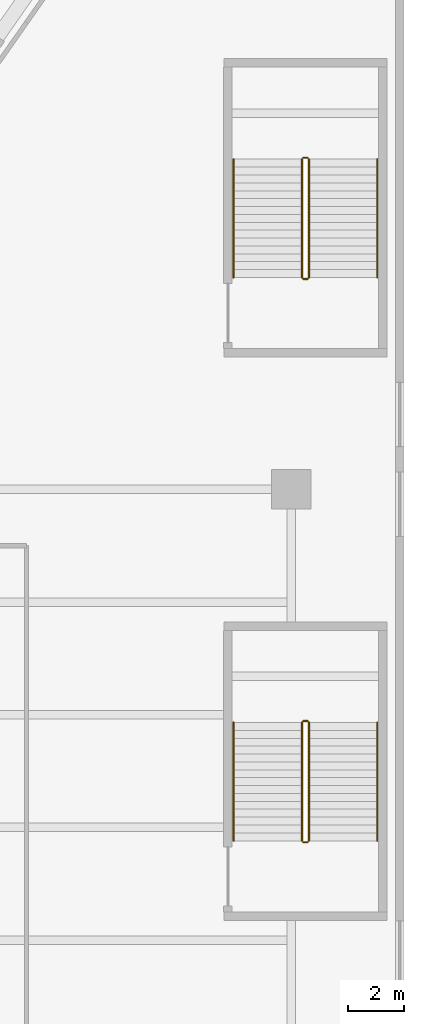
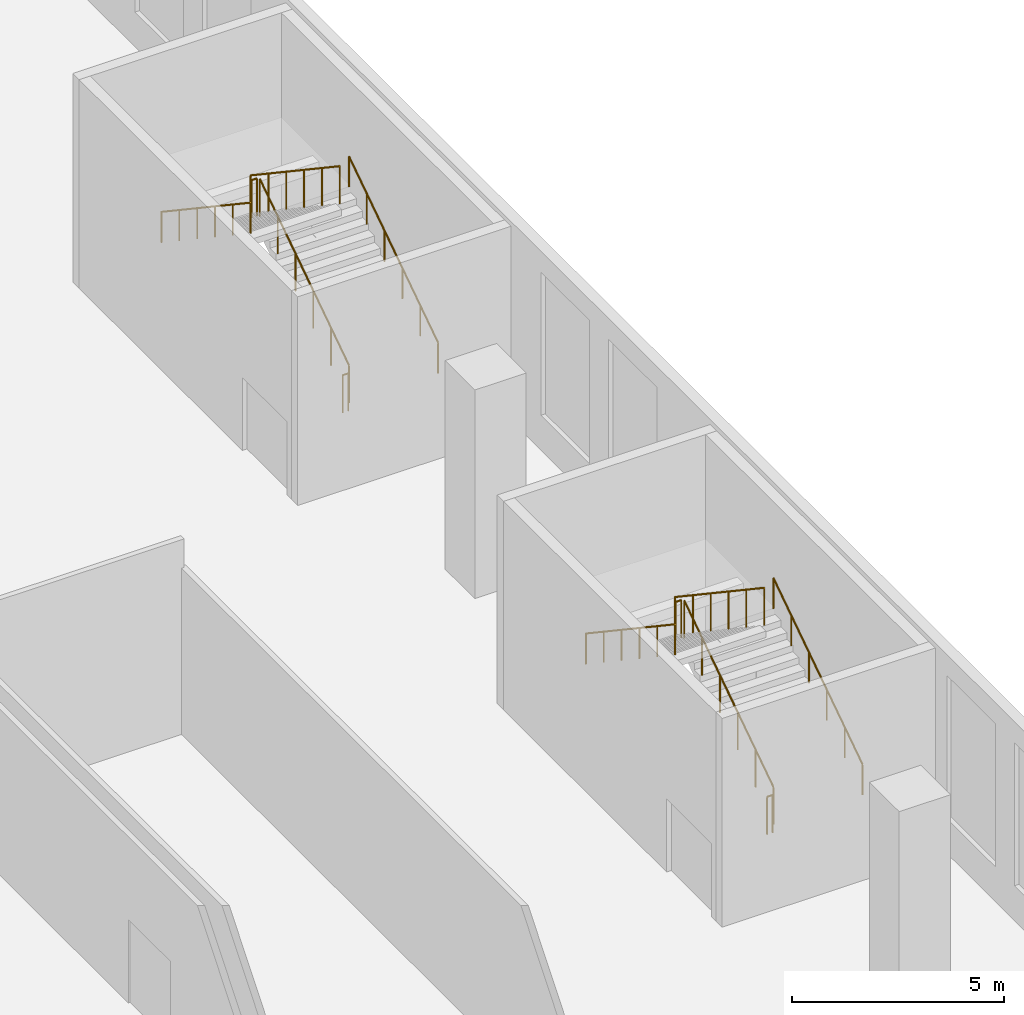
# One storey, part 22 of 25: 12 railings.
"""IFC4 building model written with IfcOpenShell, lengths in metres."""

from ifc_helpers import new_model, si_unit, direction, frame, origin, origin_2d, place, context, subcontext, project, spatial, circle, extrude, material, type_object, element, save


model = new_model("IFC4")

# Units and contexts
model_context = context("Model", 3, precision=1e-05, world=origin(), true_north=direction((0.0, 1.0)))
body_context = subcontext(model_context, "Body", "Model", "MODEL_VIEW")
ifc_project = project(units=[si_unit("LENGTHUNIT", "METRE"), si_unit("AREAUNIT", "SQUARE_METRE"), si_unit("VOLUMEUNIT", "CUBIC_METRE"), si_unit("PLANEANGLEUNIT", "RADIAN"), si_unit("MASSUNIT", "GRAM", prefix="KILO")], contexts=[model_context])

# Site, building, storey
site_placement = place(None, origin())
site = spatial("IfcSite", under=ifc_project, at=site_placement, CompositionType="ELEMENT")
building_placement = place(site_placement, origin())
building = spatial("IfcBuilding", under=site, at=building_placement, Name="Tel Ilan Convention Tower", CompositionType="ELEMENT")
storey_placement = place(building_placement, frame((0.0, 0.0, 26.0)))
storey = spatial("IfcBuildingStorey", under=building, at=storey_placement, Name="L03", CompositionType="ELEMENT", Elevation=26.0)

# Railings
ifc_material_1 = material(Name="Stainless Steel Grade 316", Category="steel")
railing_type_1 = type_object("IfcRailingType", Name="Stainless Steel Stair Guard 1100 mm", PredefinedType="GUARDRAIL", material=ifc_material_1)
railing_1_placement = place(storey_placement, frame((46.625, -60.47509765625, 0.1875)))
element("IfcRailing", 1, at=railing_1_placement, inside=storey, type_object=railing_type_1, Name="L03 P6 stair guard 1", PredefinedType="GUARDRAIL", context=body_context, shape_type="SweptSolid", body=[
    extrude(circle(Radius=0.02392578125, at=origin_2d()), frame((0.0, 0.0, 1.076171875), z_axis=(0.0, 0.830919138977, 0.55639319234), x_axis=(-1.0, 0.0, 0.0)), (0.0, 0.0, 1.0), 5.054931640625),
    extrude(circle(Radius=0.02099609375, at=origin_2d()), origin(), (0.0, 0.0, 1.0), 1.052001953125),
    extrude(circle(Radius=0.02099609375, at=origin_2d()), frame((0.0, 0.840087890625, 0.5625)), (0.0, 0.0, 1.0), 1.052001953125),
    extrude(circle(Radius=0.02099609375, at=origin_2d()), frame((0.0, 1.68017578125, 1.125)), (0.0, 0.0, 1.0), 1.052001953125),
    extrude(circle(Radius=0.02099609375, at=origin_2d()), frame((0.0, 2.52001953125, 1.6875)), (0.0, 0.0, 1.0), 1.052001953125),
    extrude(circle(Radius=0.02099609375, at=origin_2d()), frame((0.0, 3.360107421875, 2.25)), (0.0, 0.0, 1.0), 1.052001953125),
    extrude(circle(Radius=0.02099609375, at=origin_2d()), frame((0.0, 4.2001953125, 2.8125)), (0.0, 0.0, 1.0), 1.052001953125),
])
railing_2_placement = place(storey_placement, frame((46.574951171875, -56.22509765625, 3.0)))
element("IfcRailing", 2, at=railing_2_placement, inside=storey, type_object=railing_type_1, Name="L03 P6 stair guard 2", PredefinedType="GUARDRAIL", context=body_context, shape_type="SweptSolid", body=[
    extrude(circle(Radius=0.02392578125, at=origin_2d()), frame((0.0, 0.0, 1.076171875), z_axis=(-1.0, 0.0, 0.0), x_axis=(0.0, -1.0, 0.0)), (0.0, 0.0, 1.0), 0.14990234375),
    extrude(circle(Radius=0.02099609375, at=origin_2d()), origin(), (0.0, 0.0, 1.0), 1.052001953125),
    extrude(circle(Radius=0.02099609375, at=origin_2d()), frame((-0.14990234375, 0.0, 0.0)), (0.0, 0.0, 1.0), 1.052001953125),
])
railing_3_placement = place(storey_placement, frame((46.375, -56.27490234375, 3.1875)))
element("IfcRailing", 3, at=railing_3_placement, inside=storey, type_object=railing_type_1, Name="L03 P6 stair guard 3", PredefinedType="GUARDRAIL", context=body_context, shape_type="SweptSolid", body=[
    extrude(circle(Radius=0.02392578125, at=origin_2d()), frame((0.0, 0.0, 1.076171875), z_axis=(0.0, -0.830919138977, 0.55639319234), x_axis=(1.0, 0.0, 0.0)), (0.0, 0.0, 1.0), 5.054931640625),
    extrude(circle(Radius=0.02099609375, at=origin_2d()), origin(), (0.0, 0.0, 1.0), 1.052001953125),
    extrude(circle(Radius=0.02099609375, at=origin_2d()), frame((0.0, -0.840087890625, 0.5625)), (0.0, 0.0, 1.0), 1.052001953125),
    extrude(circle(Radius=0.02099609375, at=origin_2d()), frame((0.0, -1.68017578125, 1.125)), (0.0, 0.0, 1.0), 1.052001953125),
    extrude(circle(Radius=0.02099609375, at=origin_2d()), frame((0.0, -2.52001953125, 1.6875)), (0.0, 0.0, 1.0), 1.052001953125),
    extrude(circle(Radius=0.02099609375, at=origin_2d()), frame((0.0, -3.360107421875, 2.25)), (0.0, 0.0, 1.0), 1.052001953125),
    extrude(circle(Radius=0.02099609375, at=origin_2d()), frame((0.0, -4.2001953125, 2.8125)), (0.0, 0.0, 1.0), 1.052001953125),
])
railing_4_placement = place(storey_placement, frame((46.574951171875, -60.52490234375, 0.0)))
element("IfcRailing", 4, at=railing_4_placement, inside=storey, type_object=railing_type_1, Name="L03 P6 stair guard 4", PredefinedType="GUARDRAIL", context=body_context, shape_type="SweptSolid", body=[
    extrude(circle(Radius=0.02392578125, at=origin_2d()), frame((0.0, 0.0, 1.076171875), z_axis=(-1.0, 0.0, 0.0), x_axis=(0.0, -1.0, 0.0)), (0.0, 0.0, 1.0), 0.14990234375),
    extrude(circle(Radius=0.02099609375, at=origin_2d()), origin(), (0.0, 0.0, 1.0), 1.052001953125),
    extrude(circle(Radius=0.02099609375, at=origin_2d()), frame((-0.14990234375, 0.0, 0.0)), (0.0, 0.0, 1.0), 1.052001953125),
])
railing_5_placement = place(storey_placement, frame((46.625, -40.47509765625, 0.1875)))
element("IfcRailing", 5, at=railing_5_placement, inside=storey, type_object=railing_type_1, Name="L03 P8 stair guard 1", PredefinedType="GUARDRAIL", context=body_context, shape_type="SweptSolid", body=[
    extrude(circle(Radius=0.02392578125, at=origin_2d()), frame((0.0, 0.0, 1.076171875), z_axis=(0.0, 0.830919138977, 0.55639319234), x_axis=(-1.0, 0.0, 0.0)), (0.0, 0.0, 1.0), 5.054931640625),
    extrude(circle(Radius=0.02099609375, at=origin_2d()), origin(), (0.0, 0.0, 1.0), 1.052001953125),
    extrude(circle(Radius=0.02099609375, at=origin_2d()), frame((0.0, 0.840087890625, 0.5625)), (0.0, 0.0, 1.0), 1.052001953125),
    extrude(circle(Radius=0.02099609375, at=origin_2d()), frame((0.0, 1.68017578125, 1.125)), (0.0, 0.0, 1.0), 1.052001953125),
    extrude(circle(Radius=0.02099609375, at=origin_2d()), frame((0.0, 2.52001953125, 1.6875)), (0.0, 0.0, 1.0), 1.052001953125),
    extrude(circle(Radius=0.02099609375, at=origin_2d()), frame((0.0, 3.360107421875, 2.25)), (0.0, 0.0, 1.0), 1.052001953125),
    extrude(circle(Radius=0.02099609375, at=origin_2d()), frame((0.0, 4.2001953125, 2.8125)), (0.0, 0.0, 1.0), 1.052001953125),
])
railing_6_placement = place(storey_placement, frame((46.574951171875, -36.22509765625, 3.0)))
element("IfcRailing", 6, at=railing_6_placement, inside=storey, type_object=railing_type_1, Name="L03 P8 stair guard 2", PredefinedType="GUARDRAIL", context=body_context, shape_type="SweptSolid", body=[
    extrude(circle(Radius=0.02392578125, at=origin_2d()), frame((0.0, 0.0, 1.076171875), z_axis=(-1.0, 0.0, 0.0), x_axis=(0.0, -1.0, 0.0)), (0.0, 0.0, 1.0), 0.14990234375),
    extrude(circle(Radius=0.02099609375, at=origin_2d()), origin(), (0.0, 0.0, 1.0), 1.052001953125),
    extrude(circle(Radius=0.02099609375, at=origin_2d()), frame((-0.14990234375, 0.0, 0.0)), (0.0, 0.0, 1.0), 1.052001953125),
])
railing_7_placement = place(storey_placement, frame((46.375, -36.27490234375, 3.1875)))
element("IfcRailing", 7, at=railing_7_placement, inside=storey, type_object=railing_type_1, Name="L03 P8 stair guard 3", PredefinedType="GUARDRAIL", context=body_context, shape_type="SweptSolid", body=[
    extrude(circle(Radius=0.02392578125, at=origin_2d()), frame((0.0, 0.0, 1.076171875), z_axis=(0.0, -0.830919138977, 0.55639319234), x_axis=(1.0, 0.0, 0.0)), (0.0, 0.0, 1.0), 5.054931640625),
    extrude(circle(Radius=0.02099609375, at=origin_2d()), origin(), (0.0, 0.0, 1.0), 1.052001953125),
    extrude(circle(Radius=0.02099609375, at=origin_2d()), frame((0.0, -0.840087890625, 0.5625)), (0.0, 0.0, 1.0), 1.052001953125),
    extrude(circle(Radius=0.02099609375, at=origin_2d()), frame((0.0, -1.68017578125, 1.125)), (0.0, 0.0, 1.0), 1.052001953125),
    extrude(circle(Radius=0.02099609375, at=origin_2d()), frame((0.0, -2.52001953125, 1.6875)), (0.0, 0.0, 1.0), 1.052001953125),
    extrude(circle(Radius=0.02099609375, at=origin_2d()), frame((0.0, -3.360107421875, 2.25)), (0.0, 0.0, 1.0), 1.052001953125),
    extrude(circle(Radius=0.02099609375, at=origin_2d()), frame((0.0, -4.2001953125, 2.8125)), (0.0, 0.0, 1.0), 1.052001953125),
])
railing_8_placement = place(storey_placement, frame((46.574951171875, -40.52490234375, 0.0)))
element("IfcRailing", 8, at=railing_8_placement, inside=storey, type_object=railing_type_1, Name="L03 P8 stair guard 4", PredefinedType="GUARDRAIL", context=body_context, shape_type="SweptSolid", body=[
    extrude(circle(Radius=0.02392578125, at=origin_2d()), frame((0.0, 0.0, 1.076171875), z_axis=(-1.0, 0.0, 0.0), x_axis=(0.0, -1.0, 0.0)), (0.0, 0.0, 1.0), 0.14990234375),
    extrude(circle(Radius=0.02099609375, at=origin_2d()), origin(), (0.0, 0.0, 1.0), 1.052001953125),
    extrude(circle(Radius=0.02099609375, at=origin_2d()), frame((-0.14990234375, 0.0, 0.0)), (0.0, 0.0, 1.0), 1.052001953125),
])
ifc_material_2 = material(Name="Stainless Steel Grade 316", Category="steel")
railing_type_2 = type_object("IfcRailingType", Name="Stainless Steel Stair Handrail 900 mm", PredefinedType="HANDRAIL", material=ifc_material_2)
railing_9_placement = place(storey_placement, frame((49.050048828125, -60.47509765625, 0.1875)))
element("IfcRailing", 9, at=railing_9_placement, inside=storey, type_object=railing_type_2, Name="L03 P6 stair handrail 1", PredefinedType="HANDRAIL", context=body_context, shape_type="SweptSolid", body=[
    extrude(circle(Radius=0.02392578125, at=origin_2d()), frame((0.0, 0.0, 0.8759765625), z_axis=(0.0, 0.830919138977, 0.55639319234), x_axis=(-1.0, 0.0, 0.0)), (0.0, 0.0, 1.0), 5.054931640625),
    extrude(circle(Radius=0.02099609375, at=origin_2d()), origin(), (0.0, 0.0, 1.0), 0.851806640625),
    extrude(circle(Radius=0.02099609375, at=origin_2d()), frame((0.0, 0.840087890625, 0.5625)), (0.0, 0.0, 1.0), 0.851806640625),
    extrude(circle(Radius=0.02099609375, at=origin_2d()), frame((0.0, 1.68017578125, 1.125)), (0.0, 0.0, 1.0), 0.851806640625),
    extrude(circle(Radius=0.02099609375, at=origin_2d()), frame((0.0, 2.52001953125, 1.6875)), (0.0, 0.0, 1.0), 0.851806640625),
    extrude(circle(Radius=0.02099609375, at=origin_2d()), frame((0.0, 3.360107421875, 2.25)), (0.0, 0.0, 1.0), 0.851806640625),
    extrude(circle(Radius=0.02099609375, at=origin_2d()), frame((0.0, 4.2001953125, 2.8125)), (0.0, 0.0, 1.0), 0.851806640625),
])
railing_10_placement = place(storey_placement, frame((43.949951171875, -56.27490234375, 3.1875)))
element("IfcRailing", 10, at=railing_10_placement, inside=storey, type_object=railing_type_2, Name="L03 P6 stair handrail 2", PredefinedType="HANDRAIL", context=body_context, shape_type="SweptSolid", body=[
    extrude(circle(Radius=0.02392578125, at=origin_2d()), frame((0.0, 0.0, 0.8759765625), z_axis=(0.0, -0.830919138977, 0.55639319234), x_axis=(1.0, 0.0, 0.0)), (0.0, 0.0, 1.0), 5.054931640625),
    extrude(circle(Radius=0.02099609375, at=origin_2d()), origin(), (0.0, 0.0, 1.0), 0.851806640625),
    extrude(circle(Radius=0.02099609375, at=origin_2d()), frame((0.0, -0.840087890625, 0.5625)), (0.0, 0.0, 1.0), 0.851806640625),
    extrude(circle(Radius=0.02099609375, at=origin_2d()), frame((0.0, -1.68017578125, 1.125)), (0.0, 0.0, 1.0), 0.851806640625),
    extrude(circle(Radius=0.02099609375, at=origin_2d()), frame((0.0, -2.52001953125, 1.6875)), (0.0, 0.0, 1.0), 0.851806640625),
    extrude(circle(Radius=0.02099609375, at=origin_2d()), frame((0.0, -3.360107421875, 2.25)), (0.0, 0.0, 1.0), 0.851806640625),
    extrude(circle(Radius=0.02099609375, at=origin_2d()), frame((0.0, -4.2001953125, 2.8125)), (0.0, 0.0, 1.0), 0.851806640625),
])
railing_11_placement = place(storey_placement, frame((49.050048828125, -40.47509765625, 0.1875)))
element("IfcRailing", 11, at=railing_11_placement, inside=storey, type_object=railing_type_2, Name="L03 P8 stair handrail 1", PredefinedType="HANDRAIL", context=body_context, shape_type="SweptSolid", body=[
    extrude(circle(Radius=0.02392578125, at=origin_2d()), frame((0.0, 0.0, 0.8759765625), z_axis=(0.0, 0.830919138977, 0.55639319234), x_axis=(-1.0, 0.0, 0.0)), (0.0, 0.0, 1.0), 5.054931640625),
    extrude(circle(Radius=0.02099609375, at=origin_2d()), origin(), (0.0, 0.0, 1.0), 0.851806640625),
    extrude(circle(Radius=0.02099609375, at=origin_2d()), frame((0.0, 0.840087890625, 0.5625)), (0.0, 0.0, 1.0), 0.851806640625),
    extrude(circle(Radius=0.02099609375, at=origin_2d()), frame((0.0, 1.68017578125, 1.125)), (0.0, 0.0, 1.0), 0.851806640625),
    extrude(circle(Radius=0.02099609375, at=origin_2d()), frame((0.0, 2.52001953125, 1.6875)), (0.0, 0.0, 1.0), 0.851806640625),
    extrude(circle(Radius=0.02099609375, at=origin_2d()), frame((0.0, 3.360107421875, 2.25)), (0.0, 0.0, 1.0), 0.851806640625),
    extrude(circle(Radius=0.02099609375, at=origin_2d()), frame((0.0, 4.2001953125, 2.8125)), (0.0, 0.0, 1.0), 0.851806640625),
])
railing_12_placement = place(storey_placement, frame((43.949951171875, -36.27490234375, 3.1875)))
element("IfcRailing", 12, at=railing_12_placement, inside=storey, type_object=railing_type_2, Name="L03 P8 stair handrail 2", PredefinedType="HANDRAIL", context=body_context, shape_type="SweptSolid", body=[
    extrude(circle(Radius=0.02392578125, at=origin_2d()), frame((0.0, 0.0, 0.8759765625), z_axis=(0.0, -0.830919138977, 0.55639319234), x_axis=(1.0, 0.0, 0.0)), (0.0, 0.0, 1.0), 5.054931640625),
    extrude(circle(Radius=0.02099609375, at=origin_2d()), origin(), (0.0, 0.0, 1.0), 0.851806640625),
    extrude(circle(Radius=0.02099609375, at=origin_2d()), frame((0.0, -0.840087890625, 0.5625)), (0.0, 0.0, 1.0), 0.851806640625),
    extrude(circle(Radius=0.02099609375, at=origin_2d()), frame((0.0, -1.68017578125, 1.125)), (0.0, 0.0, 1.0), 0.851806640625),
    extrude(circle(Radius=0.02099609375, at=origin_2d()), frame((0.0, -2.52001953125, 1.6875)), (0.0, 0.0, 1.0), 0.851806640625),
    extrude(circle(Radius=0.02099609375, at=origin_2d()), frame((0.0, -3.360107421875, 2.25)), (0.0, 0.0, 1.0), 0.851806640625),
    extrude(circle(Radius=0.02099609375, at=origin_2d()), frame((0.0, -4.2001953125, 2.8125)), (0.0, 0.0, 1.0), 0.851806640625),
])

save(model, "model.ifc")
